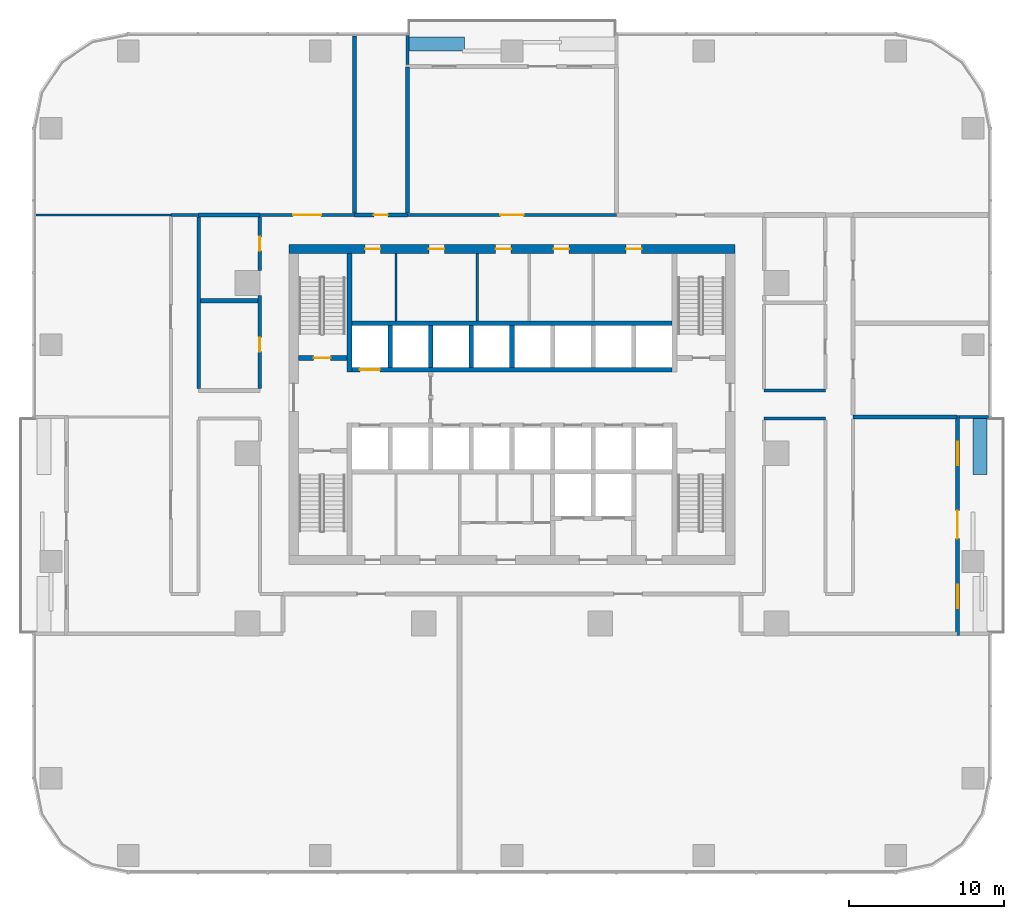
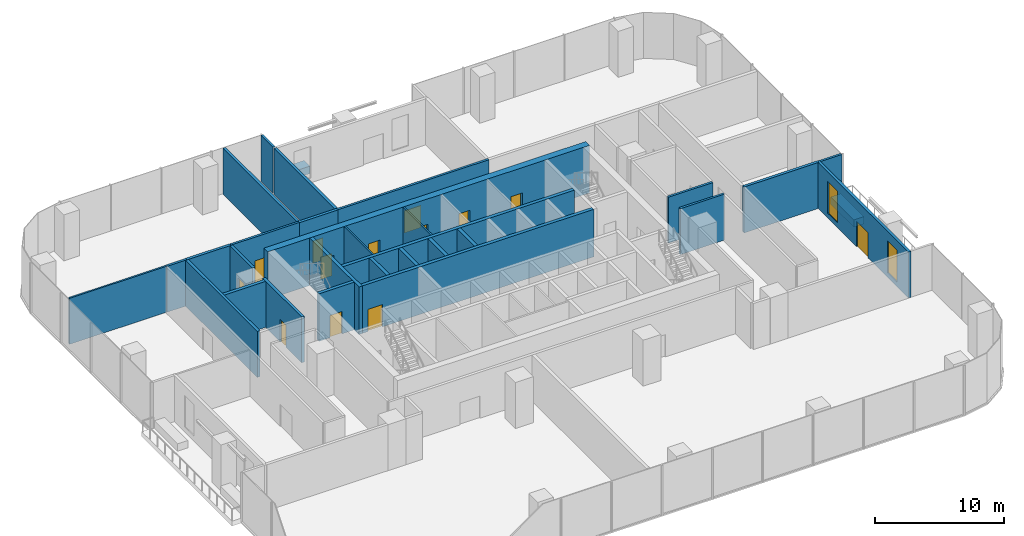
# One storey, part 9 of 14: 31 walls, 13 doors, 2 windows, 15 openings.
"""IFC4 building model written with IfcOpenShell, lengths in metres."""

from ifc_helpers import new_model, si_unit, direction, frame, frame_2d, origin, place, context, subcontext, project, spatial, rectangle, extrude, material, layer, layer_set, type_object, element, fill, save


model = new_model("IFC4")

# Units and contexts
model_context = context("Model", 3, precision=1e-05, world=origin(), true_north=direction((0.0, 1.0)))
body_context = subcontext(model_context, "Body", "Model", "MODEL_VIEW")
ifc_project = project(units=[si_unit("LENGTHUNIT", "METRE"), si_unit("AREAUNIT", "SQUARE_METRE"), si_unit("VOLUMEUNIT", "CUBIC_METRE"), si_unit("PLANEANGLEUNIT", "RADIAN"), si_unit("MASSUNIT", "GRAM", prefix="KILO")], contexts=[model_context])

# Site, building, storey
site_placement = place(None, origin())
site = spatial("IfcSite", under=ifc_project, at=site_placement, CompositionType="ELEMENT")
building_placement = place(site_placement, origin())
building = spatial("IfcBuilding", under=site, at=building_placement, Name="Mopane Tessera Tower", CompositionType="ELEMENT")
storey_placement = place(building_placement, frame((0.0, 0.0, 50.199951171875)))
storey = spatial("IfcBuildingStorey", under=building, at=storey_placement, Name="L09", CompositionType="ELEMENT", Elevation=50.199951171875)

# Walls
ifc_material_1 = material(Name="Fire-rated gypsum board partition")
ifc_layer_1 = layer(ifc_material_1, 0.14990234375)
ifc_layer_set_1 = layer_set([ifc_layer_1], Name="Fire-rated gypsum board partition")
wall_type_1 = type_object("IfcWallType", Name="Core room partition 150 mm", PredefinedType="PARTITIONING", material=ifc_layer_set_1)
for number, where, z_axis, x_axis, name in (
    (1, (-7.5, 8.550048828125, 0.0), (0.0, 0.0, 1.0), (0.0, 1.0, 0.0), "L09 Room partition"),
    (2, (-2.25, 8.550048828125, 0.0), (0.0, 0.0, 1.0), (0.0, 1.0, 0.0), "L09 Room partition"),
):
    element("IfcWall", number, at=place(storey_placement, frame(where, z_axis=z_axis, x_axis=x_axis)), inside=storey, type_object=wall_type_1, Name=name, PredefinedType="PARTITIONING", context=body_context, shape_type="SweptSolid", body=[
        extrude(rectangle(XDim=4.349853515625, YDim=0.14990234375, at=frame_2d((2.1748046875, 0.0))), origin(), (0.0, 0.0, 1.0), 4.5),
    ])

# Wall, openings, doors
ifc_material_2 = material(Name="Concrete C70/85", Category="concrete")
ifc_layer_2 = layer(ifc_material_2, 0.60009765625)
ifc_layer_set_2 = layer_set([ifc_layer_2], Name="Concrete C70/85")
wall_type_2 = type_object("IfcWallType", Name="Core shear wall 600 mm", PredefinedType="SHEAR", material=ifc_layer_set_2)
wall_1_placement = place(storey_placement, frame((-14.39990234375, 13.199951171875, 0.0), z_axis=(0.0, 0.0, 1.0), x_axis=(1.0, 0.0, 0.0)))
wall_1 = element("IfcWall", 3, at=wall_1_placement, inside=storey, type_object=wall_type_2, Name="L09 Core wall north", PredefinedType="SHEAR", context=body_context, shape_type="SweptSolid", body=[
    extrude(rectangle(XDim=28.7998046875, YDim=0.60009765625, at=frame_2d((14.39990234375, 0.0))), origin(), (0.0, 0.0, 1.0), 4.5),
])
opening_1_placement = place(wall_1_placement, frame((4.89990234375, 0.0, 0.0)))
opening_1 = element("IfcOpeningElement", 4, at=opening_1_placement, cuts=wall_1, Name="Opening RD1", PredefinedType="OPENING", context=body_context, shape_type="SweptSolid", body=[
    extrude(rectangle(XDim=1.0, YDim=2.10009765625, at=frame_2d((0.5, 1.050048828125))), frame((0.0, 0.31201171875, 0.0), z_axis=(0.0, -1.0, 0.0), x_axis=(1.0, 0.0, 0.0)), (0.0, 0.0, 1.0), 0.6240234375),
])
opening_2_placement = place(wall_1_placement, frame((9.02490234375, 0.0, 0.0)))
opening_2 = element("IfcOpeningElement", 5, at=opening_2_placement, cuts=wall_1, Name="Opening RD1", PredefinedType="OPENING", context=body_context, shape_type="SweptSolid", body=[
    extrude(rectangle(XDim=1.0, YDim=2.10009765625, at=frame_2d((0.5, 1.050048828125))), frame((0.0, 0.31201171875, 0.0), z_axis=(0.0, -1.0, 0.0), x_axis=(1.0, 0.0, 0.0)), (0.0, 0.0, 1.0), 0.6240234375),
])
opening_3_placement = place(wall_1_placement, frame((13.33740234375, 0.0, 0.0)))
opening_3 = element("IfcOpeningElement", 6, at=opening_3_placement, cuts=wall_1, Name="Opening RD1", PredefinedType="OPENING", context=body_context, shape_type="SweptSolid", body=[
    extrude(rectangle(XDim=1.0, YDim=2.10009765625, at=frame_2d((0.5, 1.050048828125))), frame((0.0, 0.31201171875, 0.0), z_axis=(0.0, -1.0, 0.0), x_axis=(1.0, 0.0, 0.0)), (0.0, 0.0, 1.0), 0.6240234375),
])
opening_4_placement = place(wall_1_placement, frame((17.08740234375, 0.0, 0.0)))
opening_4 = element("IfcOpeningElement", 7, at=opening_4_placement, cuts=wall_1, Name="Opening RD1", PredefinedType="OPENING", context=body_context, shape_type="SweptSolid", body=[
    extrude(rectangle(XDim=1.0, YDim=2.10009765625, at=frame_2d((0.5, 1.050048828125))), frame((0.0, 0.31201171875, 0.0), z_axis=(0.0, -1.0, 0.0), x_axis=(1.0, 0.0, 0.0)), (0.0, 0.0, 1.0), 0.6240234375),
])
opening_5_placement = place(wall_1_placement, frame((21.77490234375, 0.0, 0.0)))
opening_5 = element("IfcOpeningElement", 8, at=opening_5_placement, cuts=wall_1, Name="Opening RD1", PredefinedType="OPENING", context=body_context, shape_type="SweptSolid", body=[
    extrude(rectangle(XDim=1.0, YDim=2.10009765625, at=frame_2d((0.5, 1.050048828125))), frame((0.0, 0.31201171875, 0.0), z_axis=(0.0, -1.0, 0.0), x_axis=(1.0, 0.0, 0.0)), (0.0, 0.0, 1.0), 0.6240234375),
])
ifc_material_3 = material(Name="Timber door", Category="wood")
door_type_1 = type_object("IfcDoorType", Name="Core room door 1000 x 2100", OperationType="SINGLE_SWING_LEFT", PredefinedType="DOOR", material=ifc_material_3)
door_1_placement = place(opening_1_placement, origin())
door_1 = element("IfcDoor", 9, at=door_1_placement, inside=storey, type_object=door_type_1, Name="L09 Room door", OperationType="SINGLE_SWING_LEFT", OverallHeight=2.10009765625, OverallWidth=1.0, PredefinedType="DOOR", context=body_context, shape_type="SweptSolid", body=[
    extrude(rectangle(XDim=1.0, YDim=2.10009765625, at=frame_2d((0.5, 1.050048828125))), frame((0.0, 0.02490234375, 0.0), z_axis=(0.0, -1.0, 0.0), x_axis=(1.0, 0.0, 0.0)), (0.0, 0.0, 1.0), 0.050048828125),
])
fill(opening_1, door_1)
door_2_placement = place(opening_2_placement, origin())
door_2 = element("IfcDoor", 10, at=door_2_placement, inside=storey, type_object=door_type_1, Name="L09 Room door", OperationType="SINGLE_SWING_LEFT", OverallHeight=2.10009765625, OverallWidth=1.0, PredefinedType="DOOR", context=body_context, shape_type="SweptSolid", body=[
    extrude(rectangle(XDim=1.0, YDim=2.10009765625, at=frame_2d((0.5, 1.050048828125))), frame((0.0, 0.02490234375, 0.0), z_axis=(0.0, -1.0, 0.0), x_axis=(1.0, 0.0, 0.0)), (0.0, 0.0, 1.0), 0.050048828125),
])
fill(opening_2, door_2)
door_3_placement = place(opening_3_placement, origin())
door_3 = element("IfcDoor", 11, at=door_3_placement, inside=storey, type_object=door_type_1, Name="L09 Room door", OperationType="SINGLE_SWING_LEFT", OverallHeight=2.10009765625, OverallWidth=1.0, PredefinedType="DOOR", context=body_context, shape_type="SweptSolid", body=[
    extrude(rectangle(XDim=1.0, YDim=2.10009765625, at=frame_2d((0.5, 1.050048828125))), frame((0.0, 0.02490234375, 0.0), z_axis=(0.0, -1.0, 0.0), x_axis=(1.0, 0.0, 0.0)), (0.0, 0.0, 1.0), 0.050048828125),
])
fill(opening_3, door_3)
door_4_placement = place(opening_4_placement, origin())
door_4 = element("IfcDoor", 12, at=door_4_placement, inside=storey, type_object=door_type_1, Name="L09 Room door", OperationType="SINGLE_SWING_LEFT", OverallHeight=2.10009765625, OverallWidth=1.0, PredefinedType="DOOR", context=body_context, shape_type="SweptSolid", body=[
    extrude(rectangle(XDim=1.0, YDim=2.10009765625, at=frame_2d((0.5, 1.050048828125))), frame((0.0, 0.02490234375, 0.0), z_axis=(0.0, -1.0, 0.0), x_axis=(1.0, 0.0, 0.0)), (0.0, 0.0, 1.0), 0.050048828125),
])
fill(opening_4, door_4)
door_5_placement = place(opening_5_placement, origin())
door_5 = element("IfcDoor", 13, at=door_5_placement, inside=storey, type_object=door_type_1, Name="L09 Room door", OperationType="SINGLE_SWING_LEFT", OverallHeight=2.10009765625, OverallWidth=1.0, PredefinedType="DOOR", context=body_context, shape_type="SweptSolid", body=[
    extrude(rectangle(XDim=1.0, YDim=2.10009765625, at=frame_2d((0.5, 1.050048828125))), frame((0.0, 0.02490234375, 0.0), z_axis=(0.0, -1.0, 0.0), x_axis=(1.0, 0.0, 0.0)), (0.0, 0.0, 1.0), 0.050048828125),
])
fill(opening_5, door_5)

# Walls
ifc_material_4 = material(Name="Concrete C60/75", Category="concrete")
ifc_layer_3 = layer(ifc_material_4, 0.300048828125)
ifc_layer_set_3 = layer_set([ifc_layer_3], Name="Concrete C60/75")
wall_type_3 = type_object("IfcWallType", Name="Core spine wall 300 mm", PredefinedType="SHEAR", material=ifc_layer_set_3)
wall_2_placement = place(storey_placement, frame((-10.5, 5.25, 0.0), z_axis=(0.0, 0.0, 1.0), x_axis=(0.0, 1.0, 0.0)))
element("IfcWall", 14, at=wall_2_placement, inside=storey, type_object=wall_type_3, Name="L09 Core spine wall", PredefinedType="SHEAR", context=body_context, shape_type="SweptSolid", body=[
    extrude(rectangle(XDim=7.64990234375, YDim=0.300048828125, at=frame_2d((3.824951171875, 0.0))), origin(), (0.0, 0.0, 1.0), 4.5),
])
ifc_material_5 = material(Name="Gypsum board on steel studs, two layers each face, mineral wool infill", Category="steel")
ifc_layer_4 = layer(ifc_material_5, 0.199951171875)
ifc_layer_set_4 = layer_set([ifc_layer_4], Name="Gypsum board on steel studs, two layers each face, mineral wool infill")
wall_type_4 = type_object("IfcWallType", Name="Gypsum board corridor wall 200, rated EI 60", PredefinedType="PARTITIONING", material=ifc_layer_set_4)
for number, where, z_axis, x_axis, name in (
    (15, (16.300048828125, 2.25, 0.0), (0.0, 0.0, 1.0), (1.0, 0.0, 0.0), "Partition L09:010"),
    (16, (16.300048828125, 4.050048828125, 0.0), (0.0, 0.0, 1.0), (1.0, 0.0, 0.0), "Partition L09:013"),
):
    element("IfcWall", number, at=place(storey_placement, frame(where, z_axis=z_axis, x_axis=x_axis)), inside=storey, type_object=wall_type_4, Name=name, PredefinedType="PARTITIONING", context=body_context, shape_type="SweptSolid", body=[
        extrude(rectangle(XDim=3.949951171875, YDim=0.199951171875, at=frame_2d((1.97509765625, 0.0))), origin(), (0.0, 0.0, 1.0), 4.35009765625),
    ])
wall_3_placement = place(storey_placement, frame((-22.050048828125, 15.39990234375, 0.0), z_axis=(0.0, 0.0, 1.0), x_axis=(1.0, 0.0, 0.0)))
element("IfcWall", 17, at=wall_3_placement, inside=storey, type_object=wall_type_4, Name="Partition L09:019", PredefinedType="PARTITIONING", context=body_context, shape_type="SweptSolid", body=[
    extrude(rectangle(XDim=1.800048828125, YDim=0.199951171875, at=frame_2d((0.89990234375, 0.0))), origin(), (0.0, 0.0, 1.0), 4.35009765625),
])

# Wall, opening, door
wall_4_placement = place(storey_placement, frame((-16.300048828125, 15.39990234375, 0.0), z_axis=(0.0, 0.0, 1.0), x_axis=(1.0, 0.0, 0.0)))
wall_4 = element("IfcWall", 18, at=wall_4_placement, inside=storey, type_object=wall_type_4, Name="Partition L09:020", PredefinedType="PARTITIONING", context=body_context, shape_type="SweptSolid", body=[
    extrude(rectangle(XDim=6.114990234375, YDim=0.199951171875, at=frame_2d((3.0576171875, 0.0))), origin(), (0.0, 0.0, 1.0), 4.35009765625),
])
opening_6_placement = place(wall_4_placement, frame((2.157470703125, 0.0, 0.0)))
opening_6 = element("IfcOpeningElement", 19, at=opening_6_placement, cuts=wall_4, Name="Opening L09-11", PredefinedType="OPENING", context=body_context, shape_type="SweptSolid", body=[
    extrude(rectangle(XDim=1.800048828125, YDim=2.10009765625, at=frame_2d((0.89990234375, 1.050048828125))), frame((0.0, 0.112060546875, 0.0), z_axis=(0.0, -1.0, 0.0), x_axis=(1.0, 0.0, 0.0)), (0.0, 0.0, 1.0), 0.223876953125),
])
ifc_material_6 = material(Name="Timber veneered steel-framed fire door", Category="steel")
door_type_2 = type_object("IfcDoorType", Name="Fire door pair FD60 1800 x 2100", OperationType="DOUBLE_DOOR_SINGLE_SWING", PredefinedType="DOOR", material=ifc_material_6)
door_6_placement = place(opening_6_placement, origin())
door_6 = element("IfcDoor", 20, at=door_6_placement, inside=storey, type_object=door_type_2, Name="Door L09-11", ObjectType="D20A", OperationType="DOUBLE_DOOR_SINGLE_SWING", OverallHeight=2.10009765625, OverallWidth=1.800048828125, PredefinedType="DOOR", context=body_context, shape_type="SweptSolid", body=[
    extrude(rectangle(XDim=1.800048828125, YDim=2.10009765625, at=frame_2d((0.89990234375, 1.050048828125))), frame((0.0, 0.02490234375, 0.0), z_axis=(0.0, -1.0, 0.0), x_axis=(1.0, 0.0, 0.0)), (0.0, 0.0, 1.0), 0.050048828125),
])
fill(opening_6, door_6)

wall_5_placement = place(storey_placement, frame((-6.764892578125, 15.39990234375, 0.0), z_axis=(0.0, 0.0, 1.0), x_axis=(1.0, 0.0, 0.0)))
wall_5 = element("IfcWall", 21, at=wall_5_placement, inside=storey, type_object=wall_type_4, Name="Partition L09:021", PredefinedType="PARTITIONING", context=body_context, shape_type="SweptSolid", body=[
    extrude(rectangle(XDim=13.52978515625, YDim=0.199951171875, at=frame_2d((6.764892578125, 0.0))), origin(), (0.0, 0.0, 1.0), 4.35009765625),
])
opening_7_placement = place(wall_5_placement, frame((6.014892578125, 0.0, 0.0)))
opening_7 = element("IfcOpeningElement", 22, at=opening_7_placement, cuts=wall_5, Name="Opening L09-14", PredefinedType="OPENING", context=body_context, shape_type="SweptSolid", body=[
    extrude(rectangle(XDim=1.5, YDim=2.10009765625, at=frame_2d((0.75, 1.050048828125))), frame((0.0, 0.112060546875, 0.0), z_axis=(0.0, -1.0, 0.0), x_axis=(1.0, 0.0, 0.0)), (0.0, 0.0, 1.0), 0.223876953125),
])
ifc_material_7 = material(Name="Timber veneered steel-framed fire door", Category="steel")
door_type_3 = type_object("IfcDoorType", Name="Fire door pair FD60 1500 x 2100", OperationType="DOUBLE_DOOR_SINGLE_SWING", PredefinedType="DOOR", material=ifc_material_7)
door_7_placement = place(opening_7_placement, origin())
door_7 = element("IfcDoor", 23, at=door_7_placement, inside=storey, type_object=door_type_3, Name="Door L09-14", ObjectType="D17A", OperationType="DOUBLE_DOOR_SINGLE_SWING", OverallHeight=2.10009765625, OverallWidth=1.5, PredefinedType="DOOR", context=body_context, shape_type="SweptSolid", body=[
    extrude(rectangle(XDim=1.5, YDim=2.10009765625, at=frame_2d((0.75, 1.050048828125))), frame((0.0, 0.02490234375, 0.0), z_axis=(0.0, -1.0, 0.0), x_axis=(1.0, 0.0, 0.0)), (0.0, 0.0, 1.0), 0.050048828125),
])
fill(opening_7, door_7)

# Wall
ifc_material_8 = material(Name="Gypsum board on steel studs, mineral wool infill", Category="steel")
ifc_layer_5 = layer(ifc_material_8, 0.14990234375)
ifc_layer_set_5 = layer_set([ifc_layer_5], Name="Gypsum board on steel studs, mineral wool infill")
wall_type_5 = type_object("IfcWallType", Name="Gypsum board partition 150, rated EI 60", PredefinedType="PARTITIONING", material=ifc_layer_set_5)
wall_6_placement = place(storey_placement, frame((-30.75, 15.39990234375, 0.0), z_axis=(0.0, 0.0, 1.0), x_axis=(1.0, 0.0, 0.0)))
element("IfcWall", 24, at=wall_6_placement, inside=storey, type_object=wall_type_5, Name="Partition L09:018", PredefinedType="PARTITIONING", context=body_context, shape_type="SweptSolid", body=[
    extrude(rectangle(XDim=8.699951171875, YDim=0.14990234375, at=frame_2d((4.35009765625, 0.0))), origin(), (0.0, 0.0, 1.0), 4.35009765625),
])

# Wall, opening, door
ifc_material_9 = material(Name="Concrete C50/60", Category="concrete")
ifc_layer_6 = layer(ifc_material_9, 0.300048828125)
ifc_layer_set_6 = layer_set([ifc_layer_6], Name="Concrete C50/60")
wall_type_6 = type_object("IfcWallType", Name="Lift and stair shaft wall 300 mm", PredefinedType="SOLIDWALL", material=ifc_layer_set_6)
wall_7_placement = place(storey_placement, frame((-13.800048828125, 6.14990234375, 0.0), z_axis=(0.0, 0.0, 1.0), x_axis=(1.0, 0.0, 0.0)))
wall_7 = element("IfcWall", 25, at=wall_7_placement, inside=storey, type_object=wall_type_6, Name="L09 Stair enclosure wall", PredefinedType="SOLIDWALL", context=body_context, shape_type="SweptSolid", body=[
    extrude(rectangle(XDim=3.150146484375, YDim=0.300048828125, at=frame_2d((1.5751953125, 0.0))), origin(), (0.0, 0.0, 1.0), 4.5),
])
opening_8_placement = place(wall_7_placement, frame((0.97509765625, 0.0, 0.0)))
opening_8 = element("IfcOpeningElement", 26, at=opening_8_placement, cuts=wall_7, Name="Opening SD1", PredefinedType="OPENING", context=body_context, shape_type="SweptSolid", body=[
    extrude(rectangle(XDim=1.10009765625, YDim=2.10009765625, at=frame_2d((0.550048828125, 1.050048828125))), frame((0.0, 0.162109375, 0.0), z_axis=(0.0, -1.0, 0.0), x_axis=(1.0, 0.0, 0.0)), (0.0, 0.0, 1.0), 0.323974609375),
])
ifc_material_10 = material(Name="Steel fire door", Category="steel")
door_type_4 = type_object("IfcDoorType", Name="Stair fire door 1100 x 2100", OperationType="SINGLE_SWING_LEFT", PredefinedType="DOOR", material=ifc_material_10)
door_8_placement = place(opening_8_placement, origin())
door_8 = element("IfcDoor", 27, at=door_8_placement, inside=storey, type_object=door_type_4, Name="L09 Stair door ST2", OperationType="SINGLE_SWING_LEFT", OverallHeight=2.10009765625, OverallWidth=1.10009765625, PredefinedType="DOOR", context=body_context, shape_type="SweptSolid", body=[
    extrude(rectangle(XDim=1.10009765625, YDim=2.10009765625, at=frame_2d((0.550048828125, 1.050048828125))), frame((0.0, 0.02490234375, 0.0), z_axis=(0.0, -1.0, 0.0), x_axis=(1.0, 0.0, 0.0)), (0.0, 0.0, 1.0), 0.050048828125),
])
fill(opening_8, door_8)

wall_8_placement = place(storey_placement, frame((-10.35009765625, 5.39990234375, 0.0), z_axis=(0.0, 0.0, 1.0), x_axis=(1.0, 0.0, 0.0)))
wall_8 = element("IfcWall", 28, at=wall_8_placement, inside=storey, type_object=wall_type_6, Name="L09 Lift shaft front wall", PredefinedType="SOLIDWALL", context=body_context, shape_type="SweptSolid", body=[
    extrude(rectangle(XDim=20.7001953125, YDim=0.300048828125, at=frame_2d((10.35009765625, 0.0))), origin(), (0.0, 0.0, 1.0), 4.5),
])
opening_9_placement = place(wall_8_placement, frame((0.512451171875, 0.0, 0.0)))
opening_9 = element("IfcOpeningElement", 29, at=opening_9_placement, cuts=wall_8, Name="Opening LD2", PredefinedType="OPENING", context=body_context, shape_type="SweptSolid", body=[
    extrude(rectangle(XDim=1.300048828125, YDim=2.10009765625, at=frame_2d((0.64990234375, 1.050048828125))), frame((0.0, 0.162109375, 0.0), z_axis=(0.0, -1.0, 0.0), x_axis=(1.0, 0.0, 0.0)), (0.0, 0.0, 1.0), 0.323974609375),
])
ifc_material_11 = material(Name="Stainless steel sliding door", Category="steel")
door_type_5 = type_object("IfcDoorType", Name="Fire-fighting lift landing door 1300 x 2100", OperationType="DOUBLE_DOOR_SLIDING", PredefinedType="DOOR", material=ifc_material_11)
door_9_placement = place(opening_9_placement, origin())
door_9 = element("IfcDoor", 30, at=door_9_placement, inside=storey, type_object=door_type_5, Name="L09 Lift landing door FF2", OperationType="DOUBLE_DOOR_SLIDING", OverallHeight=2.10009765625, OverallWidth=1.300048828125, PredefinedType="DOOR", context=body_context, shape_type="SweptSolid", body=[
    extrude(rectangle(XDim=1.300048828125, YDim=2.10009765625, at=frame_2d((0.64990234375, 1.050048828125))), frame((0.0, 0.02490234375, 0.0), z_axis=(0.0, -1.0, 0.0), x_axis=(1.0, 0.0, 0.0)), (0.0, 0.0, 1.0), 0.050048828125),
])
fill(opening_9, door_9)

# Walls
wall_9_placement = place(storey_placement, frame((-10.35009765625, 8.39990234375, 0.0), z_axis=(0.0, 0.0, 1.0), x_axis=(1.0, 0.0, 0.0)))
element("IfcWall", 31, at=wall_9_placement, inside=storey, type_object=wall_type_6, Name="L09 Lift shaft rear wall", PredefinedType="SOLIDWALL", context=body_context, shape_type="SweptSolid", body=[
    extrude(rectangle(XDim=20.7001953125, YDim=0.300048828125, at=frame_2d((10.35009765625, 0.0))), origin(), (0.0, 0.0, 1.0), 4.5),
])
for number, where, z_axis, x_axis, name in (
    (32, (-7.875, 5.550048828125, 0.0), (0.0, 0.0, 1.0), (0.0, 1.0, 0.0), "L09 Lift shaft wall"),
    (33, (-5.25, 5.550048828125, 0.0), (0.0, 0.0, 1.0), (0.0, 1.0, 0.0), "L09 Lift shaft wall"),
    (34, (-2.625, 5.550048828125, 0.0), (0.0, 0.0, 1.0), (0.0, 1.0, 0.0), "L09 Lift shaft wall"),
    (35, (0.0, 5.550048828125, 0.0), (0.0, 0.0, 1.0), (0.0, 1.0, 0.0), "L09 Lift shaft wall"),
):
    element("IfcWall", number, at=place(storey_placement, frame(where, z_axis=z_axis, x_axis=x_axis)), inside=storey, type_object=wall_type_6, Name=name, PredefinedType="SOLIDWALL", context=body_context, shape_type="SweptSolid", body=[
        extrude(rectangle(XDim=2.699951171875, YDim=0.300048828125, at=frame_2d((1.35009765625, 0.0))), origin(), (0.0, 0.0, 1.0), 4.5),
    ])
ifc_material_12 = material(Name="Reinforced concrete C32/40 with waterproofing", Category="concrete")
ifc_layer_7 = layer(ifc_material_12, 0.89990234375)
ifc_layer_set_7 = layer_set([ifc_layer_7], Name="Reinforced concrete C32/40 with waterproofing")
wall_type_7 = type_object("IfcWallType", Name="Planter trough 3600 x 900", PredefinedType="STANDARD", material=ifc_layer_set_7)
wall_10_placement = place(storey_placement, frame((30.25, -1.36669921875, 0.0), z_axis=(0.0, 0.0, 1.0), x_axis=(0.0, 1.0, 0.0)))
element("IfcWall", 36, at=wall_10_placement, inside=storey, type_object=wall_type_7, Name="e:nw:L09:N1:pl1", PredefinedType="STANDARD", context=body_context, shape_type="SweptSolid", body=[
    extrude(rectangle(XDim=3.60009765625, YDim=0.89990234375, at=frame_2d((1.800048828125, 0.0))), origin(), (0.0, 0.0, 1.0), 0.699951171875),
])
wall_11_placement = place(storey_placement, frame((-3.063720703125, 26.449951171875, 0.0), z_axis=(0.0, 0.0, 1.0), x_axis=(-1.0, 0.0, 0.0)))
element("IfcWall", 37, at=wall_11_placement, inside=storey, type_object=wall_type_7, Name="e:nw:L09:N2:pl1", PredefinedType="STANDARD", context=body_context, shape_type="SweptSolid", body=[
    extrude(rectangle(XDim=3.599853515625, YDim=0.89990234375, at=frame_2d((1.7998046875, 0.0))), origin(), (0.0, 0.0, 1.0), 0.699951171875),
])
ifc_material_13 = material(Name="Plastered concrete blockwork C20/25", Category="masonry")
ifc_layer_8 = layer(ifc_material_13, 0.300048828125)
ifc_layer_set_8 = layer_set([ifc_layer_8], Name="Plastered concrete blockwork C20/25")
wall_type_8 = type_object("IfcWallType", Name="Plastered blockwork separation wall 300, rated EI 120", PredefinedType="PARTITIONING", material=ifc_layer_set_8)
wall_12_placement = place(storey_placement, frame((-20.125, 9.860107421875, 0.0), z_axis=(0.0, 0.0, 1.0), x_axis=(1.0, 0.0, 0.0)))
element("IfcWall", 38, at=wall_12_placement, inside=storey, type_object=wall_type_8, Name="Partition L09:017", PredefinedType="PARTITIONING", context=body_context, shape_type="SweptSolid", body=[
    extrude(rectangle(XDim=3.699951171875, YDim=0.300048828125, at=frame_2d((1.85009765625, 0.0))), origin(), (0.0, 0.0, 1.0), 4.35009765625),
])
ifc_material_14 = material(Name="Plastered concrete blockwork C20/25", Category="masonry")
ifc_layer_9 = layer(ifc_material_14, 0.25)
ifc_layer_set_9 = layer_set([ifc_layer_9], Name="Plastered concrete blockwork C20/25")
wall_type_9 = type_object("IfcWallType", Name="Plastered blockwork wall 250, rated EI 120", PredefinedType="PARTITIONING", material=ifc_layer_set_9)
wall_13_placement = place(storey_placement, frame((22.050048828125, 2.3349609375, 0.0), z_axis=(0.0, 0.0, 1.0), x_axis=(1.0, 0.0, 0.0)))
element("IfcWall", 39, at=wall_13_placement, inside=storey, type_object=wall_type_9, Name="Partition L09:012", PredefinedType="PARTITIONING", context=body_context, shape_type="SweptSolid", body=[
    extrude(rectangle(XDim=6.699951171875, YDim=0.25, at=frame_2d((3.35009765625, 0.0))), origin(), (0.0, 0.0, 1.0), 4.35009765625),
])
wall_14_placement = place(storey_placement, frame((-20.25, 15.39990234375, 0.0), z_axis=(0.0, 0.0, 1.0), x_axis=(1.0, 0.0, 0.0)))
element("IfcWall", 40, at=wall_14_placement, inside=storey, type_object=wall_type_9, Name="Partition L09:022", PredefinedType="PARTITIONING", context=body_context, shape_type="SweptSolid", body=[
    extrude(rectangle(XDim=3.949951171875, YDim=0.25, at=frame_2d((1.97509765625, 0.0))), origin(), (0.0, 0.0, 1.0), 4.35009765625),
])

# Wall, opening, door
wall_15_placement = place(storey_placement, frame((-10.18505859375, 15.39990234375, 0.0), z_axis=(0.0, 0.0, 1.0), x_axis=(1.0, 0.0, 0.0)))
wall_15 = element("IfcWall", 41, at=wall_15_placement, inside=storey, type_object=wall_type_9, Name="Partition L09:023", PredefinedType="PARTITIONING", context=body_context, shape_type="SweptSolid", body=[
    extrude(rectangle(XDim=3.420166015625, YDim=0.25, at=frame_2d((1.7099609375, 0.0))), origin(), (0.0, 0.0, 1.0), 4.35009765625),
])
opening_10_placement = place(wall_15_placement, frame((1.260009765625, 0.0, 0.0)))
opening_10 = element("IfcOpeningElement", 42, at=opening_10_placement, cuts=wall_15, Name="Opening L09-02", PredefinedType="OPENING", context=body_context, shape_type="SweptSolid", body=[
    extrude(rectangle(XDim=0.89990234375, YDim=2.10009765625, at=frame_2d((0.449951171875, 1.050048828125))), frame((0.0, 0.136962890625, 0.0), z_axis=(0.0, -1.0, 0.0), x_axis=(1.0, 0.0, 0.0)), (0.0, 0.0, 1.0), 0.27392578125),
])
ifc_material_15 = material(Name="Timber veneered steel-framed fire door", Category="steel")
door_type_6 = type_object("IfcDoorType", Name="Fire door FD120 900 x 2100", OperationType="SINGLE_SWING_LEFT", PredefinedType="DOOR", material=ifc_material_15)
door_10_placement = place(opening_10_placement, origin())
door_10 = element("IfcDoor", 43, at=door_10_placement, inside=storey, type_object=door_type_6, Name="Door L09-02", ObjectType="D10B", OperationType="SINGLE_SWING_RIGHT", OverallHeight=2.10009765625, OverallWidth=0.89990234375, PredefinedType="DOOR", context=body_context, shape_type="SweptSolid", body=[
    extrude(rectangle(XDim=0.89990234375, YDim=2.10009765625, at=frame_2d((0.449951171875, 1.050048828125))), frame((0.0, 0.02490234375, 0.0), z_axis=(0.0, -1.0, 0.0), x_axis=(1.0, 0.0, 0.0)), (0.0, 0.0, 1.0), 0.050048828125),
])
fill(opening_10, door_10)

# Wall
wall_16_placement = place(storey_placement, frame((-20.25, 4.175048828125, 0.0), z_axis=(0.0, 0.0, 1.0), x_axis=(0.0, 1.0, 0.0)))
element("IfcWall", 44, at=wall_16_placement, inside=storey, type_object=wall_type_9, Name="Partition L09:030", PredefinedType="PARTITIONING", context=body_context, shape_type="SweptSolid", body=[
    extrude(rectangle(XDim=11.099853515625, YDim=0.25, at=frame_2d((5.5498046875, 0.0))), origin(), (0.0, 0.0, 1.0), 4.35009765625),
])

# Wall, opening, door
wall_17_placement = place(storey_placement, frame((-16.300048828125, 4.175048828125, 0.0), z_axis=(0.0, 0.0, 1.0), x_axis=(0.0, 1.0, 0.0)))
wall_17 = element("IfcWall", 45, at=wall_17_placement, inside=storey, type_object=wall_type_9, Name="Partition L09:033", PredefinedType="PARTITIONING", context=body_context, shape_type="SweptSolid", body=[
    extrude(rectangle(XDim=6.02490234375, YDim=0.25, at=frame_2d((3.012451171875, 0.0))), origin(), (0.0, 0.0, 1.0), 4.35009765625),
])
opening_11_placement = place(wall_17_placement, frame((2.392578125, 0.0, 0.0)))
opening_11 = element("IfcOpeningElement", 46, at=opening_11_placement, cuts=wall_17, Name="Opening L09-09", PredefinedType="OPENING", context=body_context, shape_type="SweptSolid", body=[
    extrude(rectangle(XDim=0.89990234375, YDim=2.10009765625, at=frame_2d((0.449951171875, 1.050048828125))), frame((0.0, 0.136962890625, 0.0), z_axis=(0.0, -1.0, 0.0), x_axis=(1.0, 0.0, 0.0)), (0.0, 0.0, 1.0), 0.27392578125),
])
door_11_placement = place(opening_11_placement, origin())
door_11 = element("IfcDoor", 47, at=door_11_placement, inside=storey, type_object=door_type_6, Name="Door L09-09", ObjectType="D10B", OperationType="SINGLE_SWING_LEFT", OverallHeight=2.10009765625, OverallWidth=0.89990234375, PredefinedType="DOOR", context=body_context, shape_type="SweptSolid", body=[
    extrude(rectangle(XDim=0.89990234375, YDim=2.10009765625, at=frame_2d((0.449951171875, 1.050048828125))), frame((0.0, 0.02490234375, 0.0), z_axis=(0.0, -1.0, 0.0), x_axis=(1.0, 0.0, 0.0)), (0.0, 0.0, 1.0), 0.050048828125),
])
fill(opening_11, door_11)

wall_18_placement = place(storey_placement, frame((-16.300048828125, 11.800048828125, 0.0), z_axis=(0.0, 0.0, 1.0), x_axis=(0.0, 1.0, 0.0)))
wall_18 = element("IfcWall", 48, at=wall_18_placement, inside=storey, type_object=wall_type_9, Name="Partition L09:034", PredefinedType="PARTITIONING", context=body_context, shape_type="SweptSolid", body=[
    extrude(rectangle(XDim=3.474853515625, YDim=0.25, at=frame_2d((1.7373046875, 0.0))), origin(), (0.0, 0.0, 1.0), 4.35009765625),
])
opening_12_placement = place(wall_18_placement, frame((1.28759765625, 0.0, 0.0)))
opening_12 = element("IfcOpeningElement", 49, at=opening_12_placement, cuts=wall_18, Name="Opening L09-01", PredefinedType="OPENING", context=body_context, shape_type="SweptSolid", body=[
    extrude(rectangle(XDim=0.89990234375, YDim=2.10009765625, at=frame_2d((0.449951171875, 1.050048828125))), frame((0.0, 0.136962890625, 0.0), z_axis=(0.0, -1.0, 0.0), x_axis=(1.0, 0.0, 0.0)), (0.0, 0.0, 1.0), 0.27392578125),
])
door_12_placement = place(opening_12_placement, origin())
door_12 = element("IfcDoor", 50, at=door_12_placement, inside=storey, type_object=door_type_6, Name="Door L09-01", ObjectType="D10B", OperationType="SINGLE_SWING_LEFT", OverallHeight=2.10009765625, OverallWidth=0.89990234375, PredefinedType="DOOR", context=body_context, shape_type="SweptSolid", body=[
    extrude(rectangle(XDim=0.89990234375, YDim=2.10009765625, at=frame_2d((0.449951171875, 1.050048828125))), frame((0.0, 0.02490234375, 0.0), z_axis=(0.0, -1.0, 0.0), x_axis=(1.0, 0.0, 0.0)), (0.0, 0.0, 1.0), 0.050048828125),
])
fill(opening_12, door_12)

# Walls
wall_19_placement = place(storey_placement, frame((-10.18505859375, 15.52490234375, 0.0), z_axis=(0.0, 0.0, 1.0), x_axis=(0.0, 1.0, 0.0)))
element("IfcWall", 51, at=wall_19_placement, inside=storey, type_object=wall_type_9, Name="Partition L09:036", PredefinedType="PARTITIONING", context=body_context, shape_type="SweptSolid", body=[
    extrude(rectangle(XDim=11.425048828125, YDim=0.25, at=frame_2d((5.71240234375, 0.0))), origin(), (0.0, 0.0, 1.0), 4.35009765625),
])
wall_20_placement = place(storey_placement, frame((-6.764892578125, 15.52490234375, 0.0), z_axis=(0.0, 0.0, 1.0), x_axis=(0.0, 1.0, 0.0)))
element("IfcWall", 52, at=wall_20_placement, inside=storey, type_object=wall_type_9, Name="Partition L09:037", PredefinedType="PARTITIONING", context=body_context, shape_type="SweptSolid", body=[
    extrude(rectangle(XDim=9.425048828125, YDim=0.25, at=frame_2d((4.71240234375, 0.0))), origin(), (0.0, 0.0, 1.0), 4.35009765625),
])
ifc_material_16 = material(Name="Blockwork with glazed tile facing", Category="masonry")
ifc_layer_10 = layer(ifc_material_16, 0.199951171875)
ifc_layer_set_10 = layer_set([ifc_layer_10], Name="Blockwork with glazed tile facing")
wall_type_10 = type_object("IfcWallType", Name="Terrace cheek wall 200", PredefinedType="STANDARD", material=ifc_layer_set_10)
for number, where, z_axis, x_axis, name in (
    (53, (30.800048828125, 2.333251953125, 0.0), (0.0, 0.0, 1.0), (-1.0, 0.0, 0.0), "e:nw:L09:N1:cheekb"),
    (54, (-6.763671875, 27.0, 0.0), (0.0, 0.0, 1.0), (0.0, -1.0, 0.0), "e:nw:L09:N2:cheekb"),
):
    element("IfcWall", number, at=place(storey_placement, frame(where, z_axis=z_axis, x_axis=x_axis)), inside=storey, type_object=wall_type_10, Name=name, PredefinedType="STANDARD", context=body_context, shape_type="SweptSolid", body=[
        extrude(rectangle(XDim=1.875, YDim=0.199951171875, at=frame_2d((0.9375, 0.0))), origin(), (0.0, 0.0, 1.0), 4.35009765625),
    ])

# Wall, openings, windows, door
ifc_material_17 = material(Name="Blockwork with ultramarine glazed tile facing", Category="masonry")
ifc_layer_11 = layer(ifc_material_17, 0.25)
ifc_layer_set_11 = layer_set([ifc_layer_11], Name="Blockwork with ultramarine glazed tile facing")
wall_type_11 = type_object("IfcWallType", Name="Tile-clad external wall 250, ultramarine", PredefinedType="STANDARD", material=ifc_layer_set_11)
wall_21_placement = place(storey_placement, frame((28.800048828125, -11.7666015625, 0.0), z_axis=(0.0, 0.0, 1.0), x_axis=(0.0, 1.0, 0.0)))
wall_21 = element("IfcWall", 55, at=wall_21_placement, inside=storey, type_object=wall_type_11, Name="e:nw:L09:N1:back", PredefinedType="STANDARD", context=body_context, shape_type="SweptSolid", body=[
    extrude(rectangle(XDim=14.199951171875, YDim=0.25, at=frame_2d((7.10009765625, 0.0))), origin(), (0.0, 0.0, 1.0), 4.35009765625),
])
opening_13_placement = place(wall_21_placement, frame((1.75, 0.0, 0.449951171875)))
opening_13 = element("IfcOpeningElement", 56, at=opening_13_placement, cuts=wall_21, Name="Opening NW091A", PredefinedType="OPENING", context=body_context, shape_type="SweptSolid", body=[
    extrude(rectangle(XDim=1.5, YDim=3.0, at=frame_2d((0.75, 1.5))), frame((0.0, 0.136962890625, 0.0), z_axis=(0.0, -1.0, 0.0), x_axis=(1.0, 0.0, 0.0)), (0.0, 0.0, 1.0), 0.27392578125),
])
opening_14_placement = place(wall_21_placement, frame((6.25, 0.0, 0.0)))
opening_14 = element("IfcOpeningElement", 57, at=opening_14_placement, cuts=wall_21, Name="Opening ND091", PredefinedType="OPENING", context=body_context, shape_type="SweptSolid", body=[
    extrude(rectangle(XDim=1.800048828125, YDim=2.39990234375, at=frame_2d((0.89990234375, 1.199951171875))), frame((0.0, 0.136962890625, 0.0), z_axis=(0.0, -1.0, 0.0), x_axis=(1.0, 0.0, 0.0)), (0.0, 0.0, 1.0), 0.27392578125),
])
opening_15_placement = place(wall_21_placement, frame((11.0, 0.0, 0.449951171875)))
opening_15 = element("IfcOpeningElement", 58, at=opening_15_placement, cuts=wall_21, Name="Opening NW091B", PredefinedType="OPENING", context=body_context, shape_type="SweptSolid", body=[
    extrude(rectangle(XDim=1.5, YDim=3.0, at=frame_2d((0.75, 1.5))), frame((0.0, 0.136962890625, 0.0), z_axis=(0.0, -1.0, 0.0), x_axis=(1.0, 0.0, 0.0)), (0.0, 0.0, 1.0), 0.27392578125),
])
ifc_material_18 = material(Name="Clear laminated glass", Category="glass")
window_type = type_object("IfcWindowType", Name="Fixed window 1500 x 3000", PartitioningType="SINGLE_PANEL", PredefinedType="WINDOW", material=ifc_material_18)
window_1_placement = place(opening_13_placement, origin())
window_1 = element("IfcWindow", 59, at=window_1_placement, inside=storey, type_object=window_type, Name="e:nw:L09:N1:win0", OverallHeight=3.0, OverallWidth=1.5, PartitioningType="SINGLE_PANEL", PredefinedType="WINDOW", context=body_context, shape_type="SweptSolid", body=[
    extrude(rectangle(XDim=1.5, YDim=3.0, at=frame_2d((0.75, 1.5))), frame((0.0, 0.030029296875, 0.0), z_axis=(0.0, -1.0, 0.0), x_axis=(1.0, 0.0, 0.0)), (0.0, 0.0, 1.0), 0.06005859375),
])
fill(opening_13, window_1)
window_2_placement = place(opening_15_placement, origin())
window_2 = element("IfcWindow", 60, at=window_2_placement, inside=storey, type_object=window_type, Name="e:nw:L09:N1:win2", OverallHeight=3.0, OverallWidth=1.5, PartitioningType="SINGLE_PANEL", PredefinedType="WINDOW", context=body_context, shape_type="SweptSolid", body=[
    extrude(rectangle(XDim=1.5, YDim=3.0, at=frame_2d((0.75, 1.5))), frame((0.0, 0.030029296875, 0.0), z_axis=(0.0, -1.0, 0.0), x_axis=(1.0, 0.0, 0.0)), (0.0, 0.0, 1.0), 0.06005859375),
])
fill(opening_15, window_2)
ifc_material_19 = material(Name="Aluminium and clear glass", Category="aluminium")
door_type_7 = type_object("IfcDoorType", Name="Terrace double door 1800 x 2400", OperationType="DOUBLE_DOOR_SINGLE_SWING", PredefinedType="DOOR", material=ifc_material_19)
door_13_placement = place(opening_14_placement, origin())
door_13 = element("IfcDoor", 61, at=door_13_placement, inside=storey, type_object=door_type_7, Name="e:nw:L09:N1:door", ObjectType="D1", OperationType="DOUBLE_DOOR_SINGLE_SWING", OverallHeight=2.39990234375, OverallWidth=1.800048828125, PredefinedType="DOOR", context=body_context, shape_type="SweptSolid", body=[
    extrude(rectangle(XDim=1.800048828125, YDim=2.39990234375, at=frame_2d((0.89990234375, 1.199951171875))), frame((0.0, 0.02490234375, 0.0), z_axis=(0.0, -1.0, 0.0), x_axis=(1.0, 0.0, 0.0)), (0.0, 0.0, 1.0), 0.050048828125),
])
fill(opening_14, door_13)

save(model, "model.ifc")
